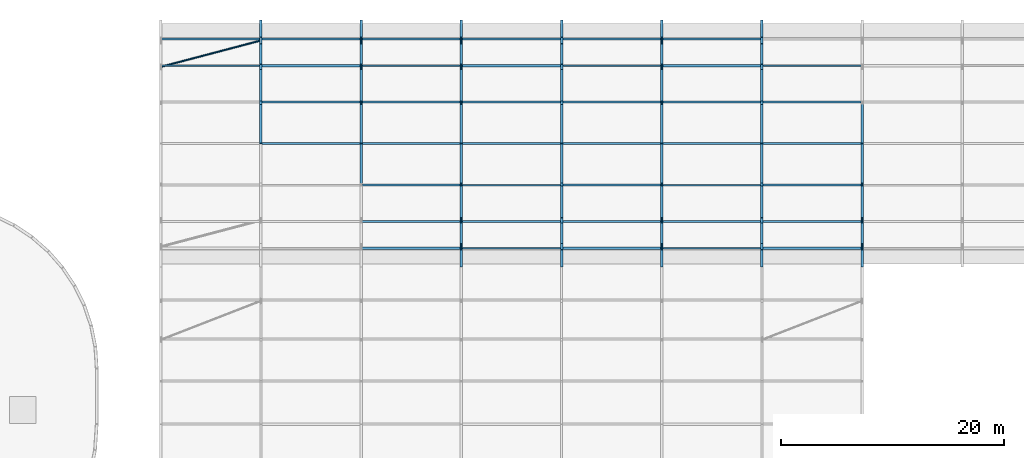
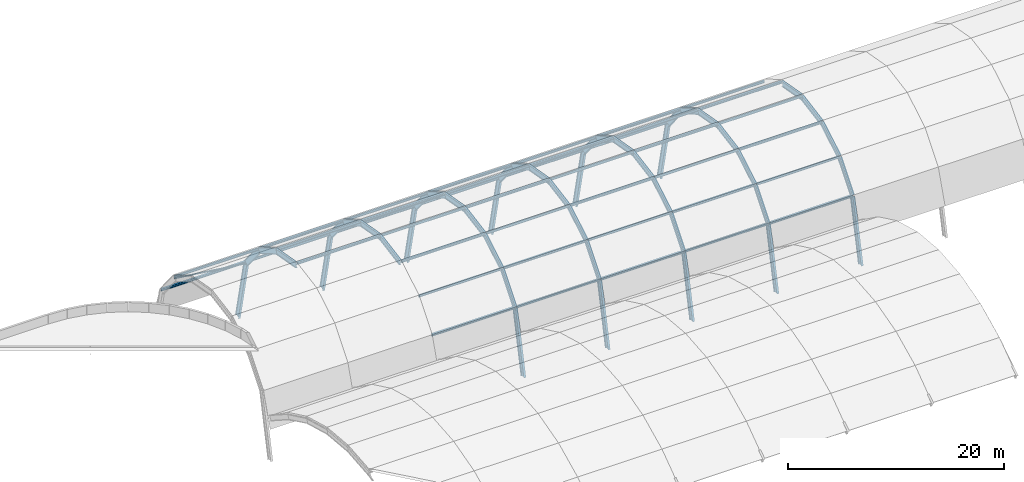
# One storey, part 5 of 15: 87 members.
"""IFC4 building model written with IfcOpenShell, lengths in metres."""

from ifc_helpers import new_model, si_unit, direction, frame, origin, origin_2d, place, context, subcontext, project, spatial, hollow_circle, i_section, extrude, material, material_profile, profile_set, type_object, element, save


model = new_model("IFC4")

# Units and contexts
model_context = context("Model", 3, precision=1e-05, world=origin(), true_north=direction((0.0, 1.0)))
body_context = subcontext(model_context, "Body", "Model", "MODEL_VIEW")
ifc_project = project(units=[si_unit("LENGTHUNIT", "METRE"), si_unit("AREAUNIT", "SQUARE_METRE"), si_unit("VOLUMEUNIT", "CUBIC_METRE"), si_unit("PLANEANGLEUNIT", "RADIAN"), si_unit("MASSUNIT", "GRAM", prefix="KILO")], contexts=[model_context])

# Site, building, storey
site_placement = place(None, origin())
site = spatial("IfcSite", under=ifc_project, at=site_placement, CompositionType="ELEMENT")
building_placement = place(site_placement, origin())
building = spatial("IfcBuilding", under=site, at=building_placement, Name="Cendralis Terraced Arcade", CompositionType="ELEMENT")
storey_placement = place(building_placement, frame((0.0, 0.0, 34.199951171875)))
storey = spatial("IfcBuildingStorey", under=building, at=storey_placement, Name="RF", CompositionType="ELEMENT", Elevation=34.199951171875)

# Members
ifc_material_1 = material(Name="Steel ASTM A992 Grade 50", Category="steel")
ifc_material_profile_1 = material_profile(ifc_material_1, i_section(OverallWidth=0.22900390625, OverallDepth=0.612060546875, WebThickness=0.011962890625, FlangeThickness=0.01953125, FilletRadius=0.012939453125, at=origin_2d()), Name="W610X125", Category="LoadBearing")
ifc_profile_set_1 = profile_set([ifc_material_profile_1], Name="Steel ASTM A992 Grade 50")
member_type_1 = type_object("IfcMemberType", Name="MEM-ARCH-W610", PredefinedType="RAFTER", material=ifc_profile_set_1)
member_1_placement = place(storey_placement, frame((76.199951171875, 49.199951171875, -6.93603515625), z_axis=(0.0, 0.984360008375, -0.176168595135), x_axis=(-1.0, 0.0, 0.0)))
element("IfcMember", 1, at=member_1_placement, inside=storey, type_object=member_type_1, Name="Shopping Arcade Barrel Vault Arch Rib VA-ARC-R02-S5", PredefinedType="RAFTER", context=body_context, shape_type="SweptSolid", body=[
    extrude(i_section(OverallWidth=0.22900390625, OverallDepth=0.612060546875, WebThickness=0.011962890625, FlangeThickness=0.01953125, FilletRadius=0.012939453125, at=origin_2d()), origin(), (0.0, 0.0, 1.0), 3.7333984375),
])
member_2_placement = place(storey_placement, frame((76.199951171875, 52.875, -7.59375), z_axis=(0.0, 0.862040098356, -0.506840082103), x_axis=(-1.0, 0.0, 0.0)))
element("IfcMember", 2, at=member_2_placement, inside=storey, type_object=member_type_1, Name="Shopping Arcade Barrel Vault Arch Rib VA-ARC-R02-S6", PredefinedType="RAFTER", context=body_context, shape_type="SweptSolid", body=[
    extrude(i_section(OverallWidth=0.22900390625, OverallDepth=0.612060546875, WebThickness=0.011962890625, FlangeThickness=0.01953125, FilletRadius=0.012939453125, at=origin_2d()), origin(), (0.0, 0.0, 1.0), 3.733642578125),
])
member_3_placement = place(storey_placement, frame((76.199951171875, 56.093505859375, -9.486083984375), z_axis=(0.0, 0.632732000931, -0.774370851077), x_axis=(-1.0, 0.0, 0.0)))
element("IfcMember", 3, at=member_3_placement, inside=storey, type_object=member_type_1, Name="Shopping Arcade Barrel Vault Arch Rib VA-ARC-R02-S7", PredefinedType="RAFTER", context=body_context, shape_type="SweptSolid", body=[
    extrude(i_section(OverallWidth=0.22900390625, OverallDepth=0.612060546875, WebThickness=0.011962890625, FlangeThickness=0.01953125, FilletRadius=0.012939453125, at=origin_2d()), origin(), (0.0, 0.0, 1.0), 3.7333984375),
])
member_4_placement = place(storey_placement, frame((76.199951171875, 58.455810546875, -12.377197265625), z_axis=(0.0, 0.217706662043, -0.976014246465), x_axis=(-1.0, 0.0, 0.0)))
element("IfcMember", 4, at=member_4_placement, inside=storey, type_object=member_type_1, Name="Shopping Arcade Barrel Vault Arch Rib VA-ARC-R02-S8", PredefinedType="RAFTER", context=body_context, shape_type="SweptSolid", body=[
    extrude(i_section(OverallWidth=0.22900390625, OverallDepth=0.612060546875, WebThickness=0.011962890625, FlangeThickness=0.01953125, FilletRadius=0.012939453125, at=origin_2d()), origin(), (0.0, 0.0, 1.0), 7.093017578125),
])
for number, where, z_axis, x_axis, name in (
    (5, (85.199951171875, 45.52490234375, -7.59375), (0.0, 0.984360008375, 0.176168595135), (-1.0, 0.0, 0.0), "Shopping Arcade Barrel Vault Arch Rib VA-ARC-R03-S4"),
    (6, (85.199951171875, 49.199951171875, -6.93603515625), (0.0, 0.984360008375, -0.176168595135), (-1.0, 0.0, 0.0), "Shopping Arcade Barrel Vault Arch Rib VA-ARC-R03-S5"),
):
    element("IfcMember", number, at=place(storey_placement, frame(where, z_axis=z_axis, x_axis=x_axis)), inside=storey, type_object=member_type_1, Name=name, PredefinedType="RAFTER", context=body_context, shape_type="SweptSolid", body=[
        extrude(i_section(OverallWidth=0.22900390625, OverallDepth=0.612060546875, WebThickness=0.011962890625, FlangeThickness=0.01953125, FilletRadius=0.012939453125, at=origin_2d()), origin(), (0.0, 0.0, 1.0), 3.7333984375),
    ])
member_5_placement = place(storey_placement, frame((85.199951171875, 52.875, -7.59375), z_axis=(0.0, 0.862040098356, -0.506840082103), x_axis=(-1.0, 0.0, 0.0)))
element("IfcMember", 7, at=member_5_placement, inside=storey, type_object=member_type_1, Name="Shopping Arcade Barrel Vault Arch Rib VA-ARC-R03-S6", PredefinedType="RAFTER", context=body_context, shape_type="SweptSolid", body=[
    extrude(i_section(OverallWidth=0.22900390625, OverallDepth=0.612060546875, WebThickness=0.011962890625, FlangeThickness=0.01953125, FilletRadius=0.012939453125, at=origin_2d()), origin(), (0.0, 0.0, 1.0), 3.733642578125),
])
member_6_placement = place(storey_placement, frame((85.199951171875, 56.093505859375, -9.486083984375), z_axis=(0.0, 0.632732000931, -0.774370851077), x_axis=(-1.0, 0.0, 0.0)))
element("IfcMember", 8, at=member_6_placement, inside=storey, type_object=member_type_1, Name="Shopping Arcade Barrel Vault Arch Rib VA-ARC-R03-S7", PredefinedType="RAFTER", context=body_context, shape_type="SweptSolid", body=[
    extrude(i_section(OverallWidth=0.22900390625, OverallDepth=0.612060546875, WebThickness=0.011962890625, FlangeThickness=0.01953125, FilletRadius=0.012939453125, at=origin_2d()), origin(), (0.0, 0.0, 1.0), 3.7333984375),
])
for number, where, z_axis, x_axis, name in (
    (9, (85.199951171875, 58.455810546875, -12.377197265625), (0.0, 0.217706662043, -0.976014246465), (-1.0, 0.0, 0.0), "Shopping Arcade Barrel Vault Arch Rib VA-ARC-R03-S8"),
    (10, (94.199951171875, 38.39990234375, -19.300048828125), (0.0, 0.217739450322, 0.976006932236), (-1.0, 0.0, 0.0), "Shopping Arcade Barrel Vault Arch Rib VA-ARC-R04-S1"),
):
    element("IfcMember", number, at=place(storey_placement, frame(where, z_axis=z_axis, x_axis=x_axis)), inside=storey, type_object=member_type_1, Name=name, PredefinedType="RAFTER", context=body_context, shape_type="SweptSolid", body=[
        extrude(i_section(OverallWidth=0.22900390625, OverallDepth=0.612060546875, WebThickness=0.011962890625, FlangeThickness=0.01953125, FilletRadius=0.012939453125, at=origin_2d()), origin(), (0.0, 0.0, 1.0), 7.093017578125),
    ])
member_7_placement = place(storey_placement, frame((94.199951171875, 39.9443359375, -12.377197265625), z_axis=(0.0, 0.632692786232, 0.774402891427), x_axis=(-1.0, 0.0, 0.0)))
element("IfcMember", 11, at=member_7_placement, inside=storey, type_object=member_type_1, Name="Shopping Arcade Barrel Vault Arch Rib VA-ARC-R04-S2", PredefinedType="RAFTER", context=body_context, shape_type="SweptSolid", body=[
    extrude(i_section(OverallWidth=0.22900390625, OverallDepth=0.612060546875, WebThickness=0.011962890625, FlangeThickness=0.01953125, FilletRadius=0.012939453125, at=origin_2d()), origin(), (0.0, 0.0, 1.0), 3.7333984375),
])
member_8_placement = place(storey_placement, frame((94.199951171875, 42.306396484375, -9.486083984375), z_axis=(0.0, 0.862040098356, 0.506840082103), x_axis=(-1.0, 0.0, 0.0)))
element("IfcMember", 12, at=member_8_placement, inside=storey, type_object=member_type_1, Name="Shopping Arcade Barrel Vault Arch Rib VA-ARC-R04-S3", PredefinedType="RAFTER", context=body_context, shape_type="SweptSolid", body=[
    extrude(i_section(OverallWidth=0.22900390625, OverallDepth=0.612060546875, WebThickness=0.011962890625, FlangeThickness=0.01953125, FilletRadius=0.012939453125, at=origin_2d()), origin(), (0.0, 0.0, 1.0), 3.733642578125),
])
for number, where, z_axis, x_axis, name in (
    (13, (94.199951171875, 45.52490234375, -7.59375), (0.0, 0.984360008375, 0.176168595135), (-1.0, 0.0, 0.0), "Shopping Arcade Barrel Vault Arch Rib VA-ARC-R04-S4"),
    (14, (94.199951171875, 49.199951171875, -6.93603515625), (0.0, 0.984360008375, -0.176168595135), (-1.0, 0.0, 0.0), "Shopping Arcade Barrel Vault Arch Rib VA-ARC-R04-S5"),
):
    element("IfcMember", number, at=place(storey_placement, frame(where, z_axis=z_axis, x_axis=x_axis)), inside=storey, type_object=member_type_1, Name=name, PredefinedType="RAFTER", context=body_context, shape_type="SweptSolid", body=[
        extrude(i_section(OverallWidth=0.22900390625, OverallDepth=0.612060546875, WebThickness=0.011962890625, FlangeThickness=0.01953125, FilletRadius=0.012939453125, at=origin_2d()), origin(), (0.0, 0.0, 1.0), 3.7333984375),
    ])
member_9_placement = place(storey_placement, frame((94.199951171875, 52.875, -7.59375), z_axis=(0.0, 0.862040098356, -0.506840082103), x_axis=(-1.0, 0.0, 0.0)))
element("IfcMember", 15, at=member_9_placement, inside=storey, type_object=member_type_1, Name="Shopping Arcade Barrel Vault Arch Rib VA-ARC-R04-S6", PredefinedType="RAFTER", context=body_context, shape_type="SweptSolid", body=[
    extrude(i_section(OverallWidth=0.22900390625, OverallDepth=0.612060546875, WebThickness=0.011962890625, FlangeThickness=0.01953125, FilletRadius=0.012939453125, at=origin_2d()), origin(), (0.0, 0.0, 1.0), 3.733642578125),
])
member_10_placement = place(storey_placement, frame((94.199951171875, 56.093505859375, -9.486083984375), z_axis=(0.0, 0.632732000931, -0.774370851077), x_axis=(-1.0, 0.0, 0.0)))
element("IfcMember", 16, at=member_10_placement, inside=storey, type_object=member_type_1, Name="Shopping Arcade Barrel Vault Arch Rib VA-ARC-R04-S7", PredefinedType="RAFTER", context=body_context, shape_type="SweptSolid", body=[
    extrude(i_section(OverallWidth=0.22900390625, OverallDepth=0.612060546875, WebThickness=0.011962890625, FlangeThickness=0.01953125, FilletRadius=0.012939453125, at=origin_2d()), origin(), (0.0, 0.0, 1.0), 3.7333984375),
])
for number, where, z_axis, x_axis, name in (
    (17, (94.199951171875, 58.455810546875, -12.377197265625), (0.0, 0.217706662043, -0.976014246465), (-1.0, 0.0, 0.0), "Shopping Arcade Barrel Vault Arch Rib VA-ARC-R04-S8"),
    (18, (103.199951171875, 38.39990234375, -19.300048828125), (0.0, 0.217739450322, 0.976006932236), (-1.0, 0.0, 0.0), "Shopping Arcade Barrel Vault Arch Rib VA-ARC-R05-S1"),
):
    element("IfcMember", number, at=place(storey_placement, frame(where, z_axis=z_axis, x_axis=x_axis)), inside=storey, type_object=member_type_1, Name=name, PredefinedType="RAFTER", context=body_context, shape_type="SweptSolid", body=[
        extrude(i_section(OverallWidth=0.22900390625, OverallDepth=0.612060546875, WebThickness=0.011962890625, FlangeThickness=0.01953125, FilletRadius=0.012939453125, at=origin_2d()), origin(), (0.0, 0.0, 1.0), 7.093017578125),
    ])
member_11_placement = place(storey_placement, frame((103.199951171875, 39.9443359375, -12.377197265625), z_axis=(0.0, 0.632692786232, 0.774402891427), x_axis=(-1.0, 0.0, 0.0)))
element("IfcMember", 19, at=member_11_placement, inside=storey, type_object=member_type_1, Name="Shopping Arcade Barrel Vault Arch Rib VA-ARC-R05-S2", PredefinedType="RAFTER", context=body_context, shape_type="SweptSolid", body=[
    extrude(i_section(OverallWidth=0.22900390625, OverallDepth=0.612060546875, WebThickness=0.011962890625, FlangeThickness=0.01953125, FilletRadius=0.012939453125, at=origin_2d()), origin(), (0.0, 0.0, 1.0), 3.7333984375),
])
member_12_placement = place(storey_placement, frame((103.199951171875, 42.306396484375, -9.486083984375), z_axis=(0.0, 0.862040098356, 0.506840082103), x_axis=(-1.0, 0.0, 0.0)))
element("IfcMember", 20, at=member_12_placement, inside=storey, type_object=member_type_1, Name="Shopping Arcade Barrel Vault Arch Rib VA-ARC-R05-S3", PredefinedType="RAFTER", context=body_context, shape_type="SweptSolid", body=[
    extrude(i_section(OverallWidth=0.22900390625, OverallDepth=0.612060546875, WebThickness=0.011962890625, FlangeThickness=0.01953125, FilletRadius=0.012939453125, at=origin_2d()), origin(), (0.0, 0.0, 1.0), 3.733642578125),
])
for number, where, z_axis, x_axis, name in (
    (21, (103.199951171875, 45.52490234375, -7.59375), (0.0, 0.984360008375, 0.176168595135), (-1.0, 0.0, 0.0), "Shopping Arcade Barrel Vault Arch Rib VA-ARC-R05-S4"),
    (22, (103.199951171875, 49.199951171875, -6.93603515625), (0.0, 0.984360008375, -0.176168595135), (-1.0, 0.0, 0.0), "Shopping Arcade Barrel Vault Arch Rib VA-ARC-R05-S5"),
):
    element("IfcMember", number, at=place(storey_placement, frame(where, z_axis=z_axis, x_axis=x_axis)), inside=storey, type_object=member_type_1, Name=name, PredefinedType="RAFTER", context=body_context, shape_type="SweptSolid", body=[
        extrude(i_section(OverallWidth=0.22900390625, OverallDepth=0.612060546875, WebThickness=0.011962890625, FlangeThickness=0.01953125, FilletRadius=0.012939453125, at=origin_2d()), origin(), (0.0, 0.0, 1.0), 3.7333984375),
    ])
member_13_placement = place(storey_placement, frame((103.199951171875, 52.875, -7.59375), z_axis=(0.0, 0.862040098356, -0.506840082103), x_axis=(-1.0, 0.0, 0.0)))
element("IfcMember", 23, at=member_13_placement, inside=storey, type_object=member_type_1, Name="Shopping Arcade Barrel Vault Arch Rib VA-ARC-R05-S6", PredefinedType="RAFTER", context=body_context, shape_type="SweptSolid", body=[
    extrude(i_section(OverallWidth=0.22900390625, OverallDepth=0.612060546875, WebThickness=0.011962890625, FlangeThickness=0.01953125, FilletRadius=0.012939453125, at=origin_2d()), origin(), (0.0, 0.0, 1.0), 3.733642578125),
])
member_14_placement = place(storey_placement, frame((103.199951171875, 56.093505859375, -9.486083984375), z_axis=(0.0, 0.632732000931, -0.774370851077), x_axis=(-1.0, 0.0, 0.0)))
element("IfcMember", 24, at=member_14_placement, inside=storey, type_object=member_type_1, Name="Shopping Arcade Barrel Vault Arch Rib VA-ARC-R05-S7", PredefinedType="RAFTER", context=body_context, shape_type="SweptSolid", body=[
    extrude(i_section(OverallWidth=0.22900390625, OverallDepth=0.612060546875, WebThickness=0.011962890625, FlangeThickness=0.01953125, FilletRadius=0.012939453125, at=origin_2d()), origin(), (0.0, 0.0, 1.0), 3.7333984375),
])
for number, where, z_axis, x_axis, name in (
    (25, (103.199951171875, 58.455810546875, -12.377197265625), (0.0, 0.217706662043, -0.976014246465), (-1.0, 0.0, 0.0), "Shopping Arcade Barrel Vault Arch Rib VA-ARC-R05-S8"),
    (26, (112.199951171875, 38.39990234375, -19.300048828125), (0.0, 0.217739450322, 0.976006932236), (-1.0, 0.0, 0.0), "Shopping Arcade Barrel Vault Arch Rib VA-ARC-R06-S1"),
):
    element("IfcMember", number, at=place(storey_placement, frame(where, z_axis=z_axis, x_axis=x_axis)), inside=storey, type_object=member_type_1, Name=name, PredefinedType="RAFTER", context=body_context, shape_type="SweptSolid", body=[
        extrude(i_section(OverallWidth=0.22900390625, OverallDepth=0.612060546875, WebThickness=0.011962890625, FlangeThickness=0.01953125, FilletRadius=0.012939453125, at=origin_2d()), origin(), (0.0, 0.0, 1.0), 7.093017578125),
    ])
member_15_placement = place(storey_placement, frame((112.199951171875, 39.9443359375, -12.377197265625), z_axis=(0.0, 0.632692786232, 0.774402891427), x_axis=(-1.0, 0.0, 0.0)))
element("IfcMember", 27, at=member_15_placement, inside=storey, type_object=member_type_1, Name="Shopping Arcade Barrel Vault Arch Rib VA-ARC-R06-S2", PredefinedType="RAFTER", context=body_context, shape_type="SweptSolid", body=[
    extrude(i_section(OverallWidth=0.22900390625, OverallDepth=0.612060546875, WebThickness=0.011962890625, FlangeThickness=0.01953125, FilletRadius=0.012939453125, at=origin_2d()), origin(), (0.0, 0.0, 1.0), 3.7333984375),
])
member_16_placement = place(storey_placement, frame((112.199951171875, 42.306396484375, -9.486083984375), z_axis=(0.0, 0.862040098356, 0.506840082103), x_axis=(-1.0, 0.0, 0.0)))
element("IfcMember", 28, at=member_16_placement, inside=storey, type_object=member_type_1, Name="Shopping Arcade Barrel Vault Arch Rib VA-ARC-R06-S3", PredefinedType="RAFTER", context=body_context, shape_type="SweptSolid", body=[
    extrude(i_section(OverallWidth=0.22900390625, OverallDepth=0.612060546875, WebThickness=0.011962890625, FlangeThickness=0.01953125, FilletRadius=0.012939453125, at=origin_2d()), origin(), (0.0, 0.0, 1.0), 3.733642578125),
])
for number, where, z_axis, x_axis, name in (
    (29, (112.199951171875, 45.52490234375, -7.59375), (0.0, 0.984360008375, 0.176168595135), (-1.0, 0.0, 0.0), "Shopping Arcade Barrel Vault Arch Rib VA-ARC-R06-S4"),
    (30, (112.199951171875, 49.199951171875, -6.93603515625), (0.0, 0.984360008375, -0.176168595135), (-1.0, 0.0, 0.0), "Shopping Arcade Barrel Vault Arch Rib VA-ARC-R06-S5"),
):
    element("IfcMember", number, at=place(storey_placement, frame(where, z_axis=z_axis, x_axis=x_axis)), inside=storey, type_object=member_type_1, Name=name, PredefinedType="RAFTER", context=body_context, shape_type="SweptSolid", body=[
        extrude(i_section(OverallWidth=0.22900390625, OverallDepth=0.612060546875, WebThickness=0.011962890625, FlangeThickness=0.01953125, FilletRadius=0.012939453125, at=origin_2d()), origin(), (0.0, 0.0, 1.0), 3.7333984375),
    ])
member_17_placement = place(storey_placement, frame((112.199951171875, 52.875, -7.59375), z_axis=(0.0, 0.862040098356, -0.506840082103), x_axis=(-1.0, 0.0, 0.0)))
element("IfcMember", 31, at=member_17_placement, inside=storey, type_object=member_type_1, Name="Shopping Arcade Barrel Vault Arch Rib VA-ARC-R06-S6", PredefinedType="RAFTER", context=body_context, shape_type="SweptSolid", body=[
    extrude(i_section(OverallWidth=0.22900390625, OverallDepth=0.612060546875, WebThickness=0.011962890625, FlangeThickness=0.01953125, FilletRadius=0.012939453125, at=origin_2d()), origin(), (0.0, 0.0, 1.0), 3.733642578125),
])
member_18_placement = place(storey_placement, frame((112.199951171875, 56.093505859375, -9.486083984375), z_axis=(0.0, 0.632732000931, -0.774370851077), x_axis=(-1.0, 0.0, 0.0)))
element("IfcMember", 32, at=member_18_placement, inside=storey, type_object=member_type_1, Name="Shopping Arcade Barrel Vault Arch Rib VA-ARC-R06-S7", PredefinedType="RAFTER", context=body_context, shape_type="SweptSolid", body=[
    extrude(i_section(OverallWidth=0.22900390625, OverallDepth=0.612060546875, WebThickness=0.011962890625, FlangeThickness=0.01953125, FilletRadius=0.012939453125, at=origin_2d()), origin(), (0.0, 0.0, 1.0), 3.7333984375),
])
for number, where, z_axis, x_axis, name in (
    (33, (112.199951171875, 58.455810546875, -12.377197265625), (0.0, 0.217706662043, -0.976014246465), (-1.0, 0.0, 0.0), "Shopping Arcade Barrel Vault Arch Rib VA-ARC-R06-S8"),
    (34, (121.199951171875, 38.39990234375, -19.300048828125), (0.0, 0.217739450322, 0.976006932236), (-1.0, 0.0, 0.0), "Shopping Arcade Barrel Vault Arch Rib VA-ARC-R07-S1"),
):
    element("IfcMember", number, at=place(storey_placement, frame(where, z_axis=z_axis, x_axis=x_axis)), inside=storey, type_object=member_type_1, Name=name, PredefinedType="RAFTER", context=body_context, shape_type="SweptSolid", body=[
        extrude(i_section(OverallWidth=0.22900390625, OverallDepth=0.612060546875, WebThickness=0.011962890625, FlangeThickness=0.01953125, FilletRadius=0.012939453125, at=origin_2d()), origin(), (0.0, 0.0, 1.0), 7.093017578125),
    ])
member_19_placement = place(storey_placement, frame((121.199951171875, 39.9443359375, -12.377197265625), z_axis=(0.0, 0.632692786232, 0.774402891427), x_axis=(-1.0, 0.0, 0.0)))
element("IfcMember", 35, at=member_19_placement, inside=storey, type_object=member_type_1, Name="Shopping Arcade Barrel Vault Arch Rib VA-ARC-R07-S2", PredefinedType="RAFTER", context=body_context, shape_type="SweptSolid", body=[
    extrude(i_section(OverallWidth=0.22900390625, OverallDepth=0.612060546875, WebThickness=0.011962890625, FlangeThickness=0.01953125, FilletRadius=0.012939453125, at=origin_2d()), origin(), (0.0, 0.0, 1.0), 3.7333984375),
])
member_20_placement = place(storey_placement, frame((121.199951171875, 42.306396484375, -9.486083984375), z_axis=(0.0, 0.862040098356, 0.506840082103), x_axis=(-1.0, 0.0, 0.0)))
element("IfcMember", 36, at=member_20_placement, inside=storey, type_object=member_type_1, Name="Shopping Arcade Barrel Vault Arch Rib VA-ARC-R07-S3", PredefinedType="RAFTER", context=body_context, shape_type="SweptSolid", body=[
    extrude(i_section(OverallWidth=0.22900390625, OverallDepth=0.612060546875, WebThickness=0.011962890625, FlangeThickness=0.01953125, FilletRadius=0.012939453125, at=origin_2d()), origin(), (0.0, 0.0, 1.0), 3.733642578125),
])
for number, where, z_axis, x_axis, name in (
    (37, (121.199951171875, 45.52490234375, -7.59375), (0.0, 0.984360008375, 0.176168595135), (-1.0, 0.0, 0.0), "Shopping Arcade Barrel Vault Arch Rib VA-ARC-R07-S4"),
    (38, (121.199951171875, 49.199951171875, -6.93603515625), (0.0, 0.984360008375, -0.176168595135), (-1.0, 0.0, 0.0), "Shopping Arcade Barrel Vault Arch Rib VA-ARC-R07-S5"),
):
    element("IfcMember", number, at=place(storey_placement, frame(where, z_axis=z_axis, x_axis=x_axis)), inside=storey, type_object=member_type_1, Name=name, PredefinedType="RAFTER", context=body_context, shape_type="SweptSolid", body=[
        extrude(i_section(OverallWidth=0.22900390625, OverallDepth=0.612060546875, WebThickness=0.011962890625, FlangeThickness=0.01953125, FilletRadius=0.012939453125, at=origin_2d()), origin(), (0.0, 0.0, 1.0), 3.7333984375),
    ])
member_21_placement = place(storey_placement, frame((121.199951171875, 52.875, -7.59375), z_axis=(0.0, 0.862040098356, -0.506840082103), x_axis=(-1.0, 0.0, 0.0)))
element("IfcMember", 39, at=member_21_placement, inside=storey, type_object=member_type_1, Name="Shopping Arcade Barrel Vault Arch Rib VA-ARC-R07-S6", PredefinedType="RAFTER", context=body_context, shape_type="SweptSolid", body=[
    extrude(i_section(OverallWidth=0.22900390625, OverallDepth=0.612060546875, WebThickness=0.011962890625, FlangeThickness=0.01953125, FilletRadius=0.012939453125, at=origin_2d()), origin(), (0.0, 0.0, 1.0), 3.733642578125),
])
member_22_placement = place(storey_placement, frame((121.199951171875, 56.093505859375, -9.486083984375), z_axis=(0.0, 0.632732000931, -0.774370851077), x_axis=(-1.0, 0.0, 0.0)))
element("IfcMember", 40, at=member_22_placement, inside=storey, type_object=member_type_1, Name="Shopping Arcade Barrel Vault Arch Rib VA-ARC-R07-S7", PredefinedType="RAFTER", context=body_context, shape_type="SweptSolid", body=[
    extrude(i_section(OverallWidth=0.22900390625, OverallDepth=0.612060546875, WebThickness=0.011962890625, FlangeThickness=0.01953125, FilletRadius=0.012939453125, at=origin_2d()), origin(), (0.0, 0.0, 1.0), 3.7333984375),
])
for number, where, z_axis, x_axis, name in (
    (41, (121.199951171875, 58.455810546875, -12.377197265625), (0.0, 0.217706662043, -0.976014246465), (-1.0, 0.0, 0.0), "Shopping Arcade Barrel Vault Arch Rib VA-ARC-R07-S8"),
    (42, (130.199951171875, 38.39990234375, -19.300048828125), (0.0, 0.217739450322, 0.976006932236), (-1.0, 0.0, 0.0), "Shopping Arcade Barrel Vault Arch Rib VA-ARC-R08-S1"),
):
    element("IfcMember", number, at=place(storey_placement, frame(where, z_axis=z_axis, x_axis=x_axis)), inside=storey, type_object=member_type_1, Name=name, PredefinedType="RAFTER", context=body_context, shape_type="SweptSolid", body=[
        extrude(i_section(OverallWidth=0.22900390625, OverallDepth=0.612060546875, WebThickness=0.011962890625, FlangeThickness=0.01953125, FilletRadius=0.012939453125, at=origin_2d()), origin(), (0.0, 0.0, 1.0), 7.093017578125),
    ])
member_23_placement = place(storey_placement, frame((130.199951171875, 39.9443359375, -12.377197265625), z_axis=(0.0, 0.632692786232, 0.774402891427), x_axis=(-1.0, 0.0, 0.0)))
element("IfcMember", 43, at=member_23_placement, inside=storey, type_object=member_type_1, Name="Shopping Arcade Barrel Vault Arch Rib VA-ARC-R08-S2", PredefinedType="RAFTER", context=body_context, shape_type="SweptSolid", body=[
    extrude(i_section(OverallWidth=0.22900390625, OverallDepth=0.612060546875, WebThickness=0.011962890625, FlangeThickness=0.01953125, FilletRadius=0.012939453125, at=origin_2d()), origin(), (0.0, 0.0, 1.0), 3.7333984375),
])
member_24_placement = place(storey_placement, frame((130.199951171875, 42.306396484375, -9.486083984375), z_axis=(0.0, 0.862040098356, 0.506840082103), x_axis=(-1.0, 0.0, 0.0)))
element("IfcMember", 44, at=member_24_placement, inside=storey, type_object=member_type_1, Name="Shopping Arcade Barrel Vault Arch Rib VA-ARC-R08-S3", PredefinedType="RAFTER", context=body_context, shape_type="SweptSolid", body=[
    extrude(i_section(OverallWidth=0.22900390625, OverallDepth=0.612060546875, WebThickness=0.011962890625, FlangeThickness=0.01953125, FilletRadius=0.012939453125, at=origin_2d()), origin(), (0.0, 0.0, 1.0), 3.733642578125),
])
for number, where, z_axis, x_axis, name in (
    (45, (130.199951171875, 45.52490234375, -7.59375), (0.0, 0.984360008375, 0.176168595135), (-1.0, 0.0, 0.0), "Shopping Arcade Barrel Vault Arch Rib VA-ARC-R08-S4"),
    (46, (130.199951171875, 49.199951171875, -6.93603515625), (0.0, 0.984360008375, -0.176168595135), (-1.0, 0.0, 0.0), "Shopping Arcade Barrel Vault Arch Rib VA-ARC-R08-S5"),
):
    element("IfcMember", number, at=place(storey_placement, frame(where, z_axis=z_axis, x_axis=x_axis)), inside=storey, type_object=member_type_1, Name=name, PredefinedType="RAFTER", context=body_context, shape_type="SweptSolid", body=[
        extrude(i_section(OverallWidth=0.22900390625, OverallDepth=0.612060546875, WebThickness=0.011962890625, FlangeThickness=0.01953125, FilletRadius=0.012939453125, at=origin_2d()), origin(), (0.0, 0.0, 1.0), 3.7333984375),
    ])
ifc_material_2 = material(Name="Steel ASTM A572 Grade 50", Category="steel")
ifc_material_profile_2 = material_profile(ifc_material_2, hollow_circle(Radius=0.083984375, WallThickness=0.008056640625, at=origin_2d()), Name="CHS168X8", Category="LoadBearing")
ifc_profile_set_2 = profile_set([ifc_material_profile_2], Name="Steel ASTM A572 Grade 50")
member_type_2 = type_object("IfcMemberType", Name="MEM-BRC-CHS168", PredefinedType="BRACE", material=ifc_profile_set_2)
member_25_placement = place(storey_placement, frame((67.215087890625, 56.093505859375, -9.486083984375), z_axis=(0.923222588339, 0.243137142831, -0.297564080757), x_axis=(-0.254673376236, 0.967027130662, 0.0)))
element("IfcMember", 47, at=member_25_placement, inside=storey, type_object=member_type_2, Name="Shopping Arcade Barrel Vault Wind Brace B01-K7", PredefinedType="BRACE", context=body_context, shape_type="SweptSolid", body=[
    extrude(hollow_circle(Radius=0.083984375, WallThickness=0.008056640625, at=origin_2d()), origin(), (0.0, 0.0, 1.0), 9.7158203125),
])
ifc_material_profile_3 = material_profile(ifc_material_1, i_section(OverallWidth=0.202880859375, OverallDepth=0.251953125, WebThickness=0.008056640625, FlangeThickness=0.013427734375, at=origin_2d()), Name="W250X58", Category="LoadBearing")
ifc_profile_set_3 = profile_set([ifc_material_profile_3], Name="Steel ASTM A992 Grade 50")
member_type_3 = type_object("IfcMemberType", Name="MEM-PUR-HSS180", PredefinedType="PURLIN", material=ifc_profile_set_3)
for number, where, z_axis, x_axis, name in (
    (48, (67.2119140625, 58.599853515625, -12.297119140625), (1.0, 0.0, 0.0), (0.0, 1.0, 0.0), "Shopping Arcade Barrel Vault Purlin B01-K7"),
    (49, (76.2119140625, 49.199951171875, -6.77099609375), (1.0, 0.0, 0.0), (0.0, 1.0, 0.0), "Shopping Arcade Barrel Vault Purlin B02-K4"),
    (50, (76.2119140625, 56.200927734375, -9.36083984375), (1.0, 0.0, 0.0), (0.0, 1.0, 0.0), "Shopping Arcade Barrel Vault Purlin B02-K6"),
    (51, (85.2119140625, 39.800048828125, -12.297119140625), (1.0, 0.0, 0.0), (0.0, 1.0, 0.0), "Shopping Arcade Barrel Vault Purlin B03-K1"),
    (52, (85.2119140625, 45.4677734375, -7.439208984375), (1.0, 0.0, 0.0), (0.0, 1.0, 0.0), "Shopping Arcade Barrel Vault Purlin B03-K3"),
    (53, (85.2119140625, 52.932373046875, -7.439208984375), (1.0, 0.0, 0.0), (0.0, 1.0, 0.0), "Shopping Arcade Barrel Vault Purlin B03-K5"),
    (54, (85.2119140625, 58.599853515625, -12.297119140625), (1.0, 0.0, 0.0), (0.0, 1.0, 0.0), "Shopping Arcade Barrel Vault Purlin B03-K7"),
    (55, (94.2119140625, 42.19921875, -9.36083984375), (1.0, 0.0, 0.0), (0.0, 1.0, 0.0), "Shopping Arcade Barrel Vault Purlin B04-K2"),
    (56, (94.2119140625, 49.199951171875, -6.77099609375), (1.0, 0.0, 0.0), (0.0, 1.0, 0.0), "Shopping Arcade Barrel Vault Purlin B04-K4"),
    (57, (94.2119140625, 56.200927734375, -9.36083984375), (1.0, 0.0, 0.0), (0.0, 1.0, 0.0), "Shopping Arcade Barrel Vault Purlin B04-K6"),
    (58, (103.2119140625, 39.800048828125, -12.297119140625), (1.0, 0.0, 0.0), (0.0, 1.0, 0.0), "Shopping Arcade Barrel Vault Purlin B05-K1"),
    (59, (103.2119140625, 45.4677734375, -7.439208984375), (1.0, 0.0, 0.0), (0.0, 1.0, 0.0), "Shopping Arcade Barrel Vault Purlin B05-K3"),
    (60, (103.2119140625, 52.932373046875, -7.439208984375), (1.0, 0.0, 0.0), (0.0, 1.0, 0.0), "Shopping Arcade Barrel Vault Purlin B05-K5"),
    (61, (103.2119140625, 58.599853515625, -12.297119140625), (1.0, 0.0, 0.0), (0.0, 1.0, 0.0), "Shopping Arcade Barrel Vault Purlin B05-K7"),
    (62, (112.2119140625, 42.19921875, -9.36083984375), (1.0, 0.0, 0.0), (0.0, 1.0, 0.0), "Shopping Arcade Barrel Vault Purlin B06-K2"),
    (63, (112.2119140625, 49.199951171875, -6.77099609375), (1.0, 0.0, 0.0), (0.0, 1.0, 0.0), "Shopping Arcade Barrel Vault Purlin B06-K4"),
    (64, (112.2119140625, 56.200927734375, -9.36083984375), (1.0, 0.0, 0.0), (0.0, 1.0, 0.0), "Shopping Arcade Barrel Vault Purlin B06-K6"),
    (65, (121.2119140625, 39.800048828125, -12.297119140625), (1.0, 0.0, 0.0), (0.0, 1.0, 0.0), "Shopping Arcade Barrel Vault Purlin B07-K1"),
    (66, (121.2119140625, 45.4677734375, -7.439208984375), (1.0, 0.0, 0.0), (0.0, 1.0, 0.0), "Shopping Arcade Barrel Vault Purlin B07-K3"),
    (67, (121.2119140625, 52.932373046875, -7.439208984375), (1.0, 0.0, 0.0), (0.0, 1.0, 0.0), "Shopping Arcade Barrel Vault Purlin B07-K5"),
):
    element("IfcMember", number, at=place(storey_placement, frame(where, z_axis=z_axis, x_axis=x_axis)), inside=storey, type_object=member_type_3, Name=name, PredefinedType="PURLIN", context=body_context, shape_type="SweptSolid", body=[
        extrude(i_section(OverallWidth=0.202880859375, OverallDepth=0.251953125, WebThickness=0.008056640625, FlangeThickness=0.013427734375, at=origin_2d()), origin(), (0.0, 0.0, 1.0), 8.97607421875),
    ])
ifc_material_profile_4 = material_profile(ifc_material_1, i_section(OverallWidth=0.14697265625, OverallDepth=0.261962890625, WebThickness=0.006591796875, FlangeThickness=0.01123046875, FilletRadius=0.010009765625, at=origin_2d()), Name="W250X38.5", Category="LoadBearing")
ifc_profile_set_4 = profile_set([ifc_material_profile_4], Name="Steel ASTM A992 Grade 50")
member_type_4 = type_object("IfcMemberType", Name="MEM-PUR-W250", PredefinedType="PURLIN", material=ifc_profile_set_4)
for number, where, z_axis, x_axis, name in (
    (68, (67.2119140625, 56.19775390625, -9.364501953125), (1.0, 0.0, 0.0), (0.0, 1.0, 0.0), "Shopping Arcade Barrel Vault Purlin B01-K6"),
    (69, (76.2119140625, 52.930419921875, -7.44384765625), (1.0, 0.0, 0.0), (0.0, 1.0, 0.0), "Shopping Arcade Barrel Vault Purlin B02-K5"),
    (70, (76.2119140625, 58.595458984375, -12.299560546875), (1.0, 0.0, 0.0), (0.0, 1.0, 0.0), "Shopping Arcade Barrel Vault Purlin B02-K7"),
    (71, (85.2119140625, 42.202392578125, -9.364501953125), (1.0, 0.0, 0.0), (0.0, 1.0, 0.0), "Shopping Arcade Barrel Vault Purlin B03-K2"),
    (72, (85.2119140625, 49.199951171875, -6.77587890625), (1.0, 0.0, 0.0), (0.0, 1.0, 0.0), "Shopping Arcade Barrel Vault Purlin B03-K4"),
    (73, (85.2119140625, 56.19775390625, -9.364501953125), (1.0, 0.0, 0.0), (0.0, 1.0, 0.0), "Shopping Arcade Barrel Vault Purlin B03-K6"),
    (74, (94.2119140625, 39.804443359375, -12.299560546875), (1.0, 0.0, 0.0), (0.0, 1.0, 0.0), "Shopping Arcade Barrel Vault Purlin B04-K1"),
    (75, (94.2119140625, 45.469482421875, -7.44384765625), (1.0, 0.0, 0.0), (0.0, 1.0, 0.0), "Shopping Arcade Barrel Vault Purlin B04-K3"),
    (76, (94.2119140625, 52.930419921875, -7.44384765625), (1.0, 0.0, 0.0), (0.0, 1.0, 0.0), "Shopping Arcade Barrel Vault Purlin B04-K5"),
    (77, (94.2119140625, 58.595458984375, -12.299560546875), (1.0, 0.0, 0.0), (0.0, 1.0, 0.0), "Shopping Arcade Barrel Vault Purlin B04-K7"),
    (78, (103.2119140625, 42.202392578125, -9.364501953125), (1.0, 0.0, 0.0), (0.0, 1.0, 0.0), "Shopping Arcade Barrel Vault Purlin B05-K2"),
    (79, (103.2119140625, 49.199951171875, -6.77587890625), (1.0, 0.0, 0.0), (0.0, 1.0, 0.0), "Shopping Arcade Barrel Vault Purlin B05-K4"),
    (80, (103.2119140625, 56.19775390625, -9.364501953125), (1.0, 0.0, 0.0), (0.0, 1.0, 0.0), "Shopping Arcade Barrel Vault Purlin B05-K6"),
    (81, (112.2119140625, 39.804443359375, -12.299560546875), (1.0, 0.0, 0.0), (0.0, 1.0, 0.0), "Shopping Arcade Barrel Vault Purlin B06-K1"),
    (82, (112.2119140625, 45.469482421875, -7.44384765625), (1.0, 0.0, 0.0), (0.0, 1.0, 0.0), "Shopping Arcade Barrel Vault Purlin B06-K3"),
    (83, (112.2119140625, 52.930419921875, -7.44384765625), (1.0, 0.0, 0.0), (0.0, 1.0, 0.0), "Shopping Arcade Barrel Vault Purlin B06-K5"),
    (84, (112.2119140625, 58.595458984375, -12.299560546875), (1.0, 0.0, 0.0), (0.0, 1.0, 0.0), "Shopping Arcade Barrel Vault Purlin B06-K7"),
    (85, (121.2119140625, 42.202392578125, -9.364501953125), (1.0, 0.0, 0.0), (0.0, 1.0, 0.0), "Shopping Arcade Barrel Vault Purlin B07-K2"),
    (86, (121.2119140625, 49.199951171875, -6.77587890625), (1.0, 0.0, 0.0), (0.0, 1.0, 0.0), "Shopping Arcade Barrel Vault Purlin B07-K4"),
    (87, (121.2119140625, 56.19775390625, -9.364501953125), (1.0, 0.0, 0.0), (0.0, 1.0, 0.0), "Shopping Arcade Barrel Vault Purlin B07-K6"),
):
    element("IfcMember", number, at=place(storey_placement, frame(where, z_axis=z_axis, x_axis=x_axis)), inside=storey, type_object=member_type_4, Name=name, PredefinedType="PURLIN", context=body_context, shape_type="SweptSolid", body=[
        extrude(i_section(OverallWidth=0.14697265625, OverallDepth=0.261962890625, WebThickness=0.006591796875, FlangeThickness=0.01123046875, FilletRadius=0.010009765625, at=origin_2d()), origin(), (0.0, 0.0, 1.0), 8.97607421875),
    ])

save(model, "model.ifc")
